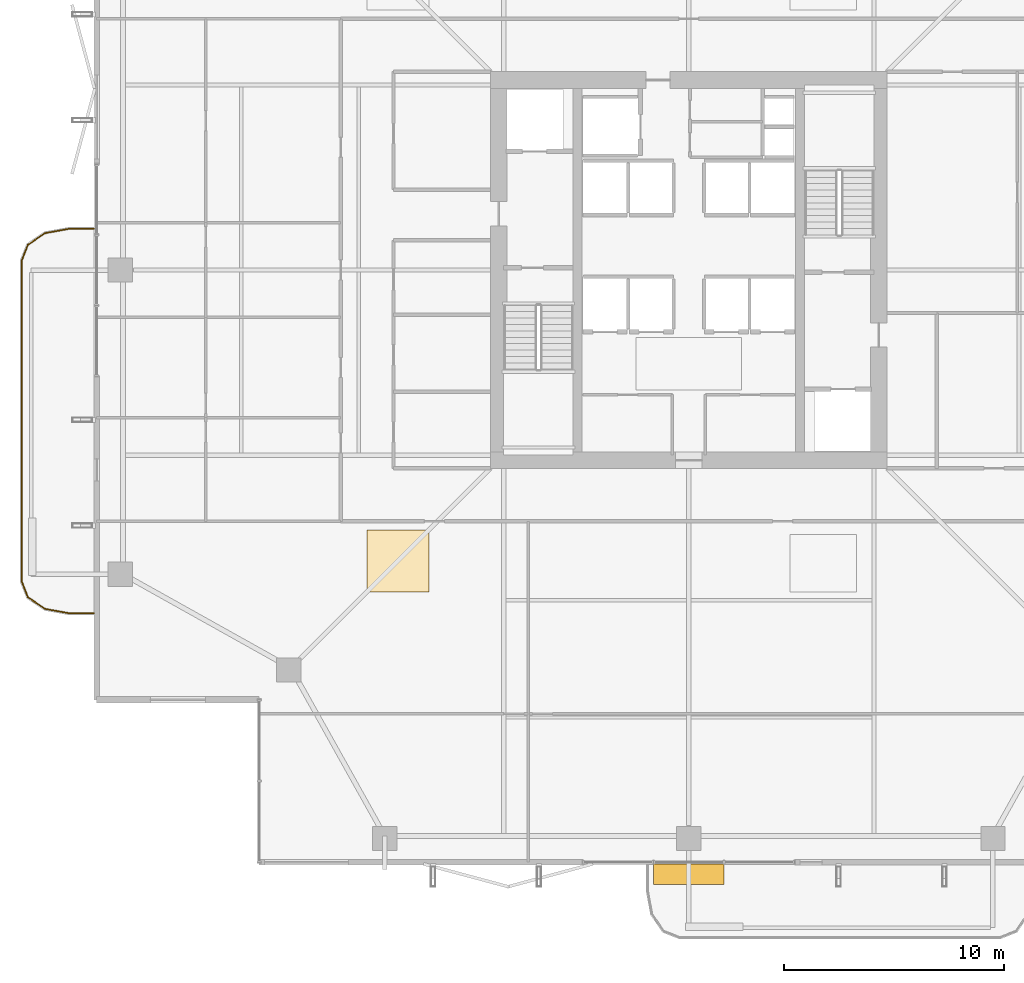
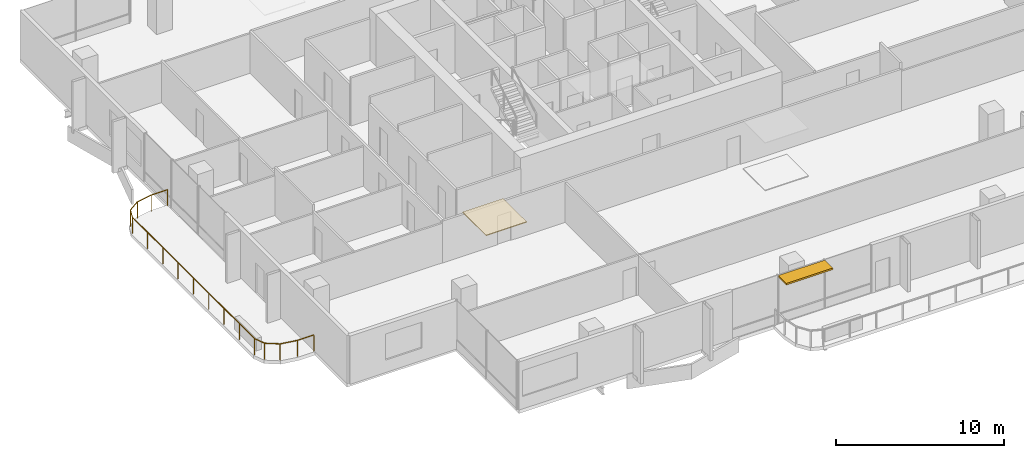
# One storey, part 26 of 29: 1 covering, 1 railing, 1 shading device.
"""IFC4 building model written with IfcOpenShell, lengths in metres."""

import ifcopenshell
import ifcopenshell.guid

model = None  # the IFC model being written
_history = None  # IfcOwnerHistory: only IFC2X3 demands one
_inside = {}  # id of a spatial element -> (the spatial element, [elements in it])
_under = {}  # id of a project, library or spatial element -> (it, [spatial elements below it])
_declared = {}  # id of a project -> (the project, [libraries it declares])
_typed = {}  # id of a type object -> (the type object, [elements of that type])
_made_of = {}  # id of a material, layer set ... -> (it, [elements and type objects made of it])


def new_model(schema):
    """Start an empty IFC model of exactly this schema.

    Asked for "IFC4X3", IfcOpenShell would pick the latest addendum, in which some entities
    have other attributes; the version numbers below select the first issue.
    IFC2X3 requires an IfcOwnerHistory on every rooted entity: one is made here for all.
    """
    global model, _history
    if schema == "IFC4X3":
        model = ifcopenshell.file(schema_version=(4, 3, 0, 0))
    else:
        model = ifcopenshell.file(schema=schema)
    _inside.clear()
    _under.clear()
    _declared.clear()
    _typed.clear()
    _made_of.clear()
    _history = None
    if model.schema == "IFC2X3":
        org = make("IfcOrganization", Name="unknown")
        user = make(
            "IfcPersonAndOrganization",
            ThePerson=make("IfcPerson", FamilyName="unknown"),
            TheOrganization=org,
        )
        app = make(
            "IfcApplication",
            ApplicationDeveloper=org,
            Version="unknown",
            ApplicationFullName="unknown",
            ApplicationIdentifier="unknown",
        )
        _history = make(
            "IfcOwnerHistory",
            OwningUser=user,
            OwningApplication=app,
            ChangeAction="ADDED",
            CreationDate=0,
        )
    return model


def make(cls, **values):
    """One entity of the class cls with the attributes given. An attribute that is None is left unset."""
    return model.create_entity(
        cls, **{name: value for name, value in values.items() if value is not None}
    )


def rooted(cls, **values):
    """An entity with a GlobalId (a new one), such as an element, a storey or a relation."""
    return make(cls, GlobalId=ifcopenshell.guid.new(), OwnerHistory=_history, **values)


def si_unit(unit_type, name, prefix=None):
    """IfcSIUnit, for example si_unit("LENGTHUNIT", "METRE", prefix="MILLI")."""
    return make("IfcSIUnit", UnitType=unit_type, Prefix=prefix, Name=name)


def assignment(units):
    """IfcUnitAssignment: the units of a project."""
    return None if units is None else make("IfcUnitAssignment", Units=units)


def point(xyz):
    """IfcCartesianPoint."""
    return None if xyz is None else make("IfcCartesianPoint", Coordinates=xyz)


def direction(xyz):
    """IfcDirection."""
    return None if xyz is None else make("IfcDirection", DirectionRatios=xyz)


def frame(location, z_axis=None, x_axis=None):
    """IfcAxis2Placement3D, a coordinate frame: its origin and axes. An axis left out is left unset."""
    return make(
        "IfcAxis2Placement3D",
        Location=point(location),
        Axis=direction(z_axis),
        RefDirection=direction(x_axis),
    )


def frame_2d(location, x_axis=None):
    """IfcAxis2Placement2D, a coordinate frame in the plane: its origin and x axis."""
    return make(
        "IfcAxis2Placement2D", Location=point(location), RefDirection=direction(x_axis)
    )


def origin():
    """The frame at (0, 0, 0) with its axes left unset."""
    return frame((0.0, 0.0, 0.0))


def origin_2d():
    """The frame at (0, 0) in the plane with its x axis left unset."""
    return frame_2d((0.0, 0.0))


def place(relative_to, where):
    """IfcLocalPlacement: puts the frame where relative to a parent placement (None: the world)."""
    return make(
        "IfcLocalPlacement", PlacementRelTo=relative_to, RelativePlacement=where
    )


def context(
    kind, dimensions, precision=None, world=None, true_north=None, identifier=None
):
    """IfcGeometricRepresentationContext, for example the 3D "Model" context."""
    return make(
        "IfcGeometricRepresentationContext",
        ContextIdentifier=identifier,
        ContextType=kind,
        CoordinateSpaceDimension=dimensions,
        Precision=precision,
        WorldCoordinateSystem=world,
        TrueNorth=true_north,
    )


def subcontext(parent, identifier, kind, view, scale=None):
    """IfcGeometricRepresentationSubContext, for example "Body" below "Model"."""
    return make(
        "IfcGeometricRepresentationSubContext",
        ContextIdentifier=identifier,
        ContextType=kind,
        ParentContext=parent,
        TargetScale=scale,
        TargetView=view,
    )


def project(units=None, contexts=None):
    """IfcProject with its units and contexts."""
    return rooted(
        "IfcProject",
        Name="project",
        RepresentationContexts=contexts,
        UnitsInContext=assignment(units),
    )


def spatial(cls, under=None, at=None, **own):
    """A site, building, storey or space (cls), placed at a placement, below another one or the project."""
    s = rooted(cls, ObjectPlacement=at, **own)
    if under is not None:
        _under.setdefault(under.id(), (under, []))[1].append(s)
    return s


def polyline(points):
    """IfcPolyline through the points."""
    return make("IfcPolyline", Points=[point(p) for p in points])


def profile(cls, at=None, kind="AREA", **sizes):
    """A parametric profile (cls). Its sizes go by their IFC names, for example OverallWidth=200.0."""
    return make(cls, ProfileType=kind, Position=at, **sizes)


def rectangle(**sizes):
    """IfcRectangleProfileDef."""
    return profile("IfcRectangleProfileDef", **sizes)


def outline(outer, holes=None, kind="AREA"):
    """IfcArbitraryClosedProfileDef: a profile drawn as a closed curve; with holes, ...WithVoids."""
    if holes is None:
        return make("IfcArbitraryClosedProfileDef", ProfileType=kind, OuterCurve=outer)
    return make(
        "IfcArbitraryProfileDefWithVoids",
        ProfileType=kind,
        OuterCurve=outer,
        InnerCurves=holes,
    )


def extrude(swept, where, along, depth):
    """IfcExtrudedAreaSolid: the profile swept, set in the frame where, extruded along a direction by depth."""
    return make(
        "IfcExtrudedAreaSolid",
        SweptArea=swept,
        Position=where,
        ExtrudedDirection=direction(along),
        Depth=depth,
    )


def shape(context_of_items, identifier, shape_type, items):
    """IfcShapeRepresentation: the items that make up one representation, for example the "Body"."""
    return make(
        "IfcShapeRepresentation",
        ContextOfItems=context_of_items,
        RepresentationIdentifier=identifier,
        RepresentationType=shape_type,
        Items=items,
    )


def material(Name=None, Category=None):
    """IfcMaterial."""
    return make("IfcMaterial", Name=Name, Category=Category)


def layer(
    of_material, thickness, ventilated=None, Name=None, Category=None, Priority=None
):
    """IfcMaterialLayer: one layer of a wall or slab, of a material (None: an air gap)."""
    return make(
        "IfcMaterialLayer",
        Material=of_material,
        LayerThickness=thickness,
        IsVentilated=ventilated,
        Name=Name,
        Category=Category,
        Priority=Priority,
    )


def layer_set(layers, Name=None):
    """IfcMaterialLayerSet."""
    return make("IfcMaterialLayerSet", MaterialLayers=layers, LayerSetName=Name)


def made_of(thing, what):
    """Note that an element or type object is made of a material, layer set ...; save() writes the relation."""
    if what is not None:
        _made_of.setdefault(what.id(), (what, []))[1].append(thing)
    return thing


def type_object(cls, material=None, **own):
    """A type object (cls), such as IfcWallType, which elements share."""
    return made_of(rooted(cls, **own), material)


def element(
    cls,
    number,
    at=None,
    inside=None,
    cuts=None,
    type_object=None,
    material=None,
    context=None,
    identifier="Body",
    shape_type=None,
    held_by="IfcProductDefinitionShape",
    body=None,
    shapes=None,
    **own,
):
    """One element of the class cls, such as IfcWall. Its Tag is "e" and its number.

    at: its placement. inside: the storey or other place that contains it. cuts: it is an
    opening in that element (IfcRelVoidsElement). A single representation is given by context,
    identifier, shape_type and body (its items); several are given by shapes. held_by: the class
    of the entity that holds the representations. save() writes the other relations.
    """
    e = rooted(cls, Tag="e%d" % number, ObjectPlacement=at, **own)
    if body is not None:
        shapes = [shape(context, identifier, shape_type, body)]
    if shapes is not None:
        e.Representation = make(held_by, Representations=shapes)
    if inside is not None:
        _inside.setdefault(inside.id(), (inside, []))[1].append(e)
    if cuts is not None:
        rooted(
            "IfcRelVoidsElement", RelatingBuildingElement=cuts, RelatedOpeningElement=e
        )
    if type_object is not None:
        _typed.setdefault(type_object.id(), (type_object, []))[1].append(e)
    return made_of(e, material)


def aggregate(whole, parts):
    """IfcRelAggregates: a whole, such as a stair, and the parts it consists of."""
    return rooted("IfcRelAggregates", RelatingObject=whole, RelatedObjects=parts)


def save(model, path):
    """Write the relations noted so far, then the file.

    IfcRelAggregates (storeys below a building ...), IfcRelContainedInSpatialStructure (elements
    in a storey), IfcRelDefinesByType, IfcRelAssociatesMaterial and IfcRelDeclares: one each for
    every whole, place, type object, material and project.
    """
    for whole, parts in _under.values():
        aggregate(whole, parts)
    for where, things in _inside.values():
        rooted(
            "IfcRelContainedInSpatialStructure",
            RelatedElements=things,
            RelatingStructure=where,
        )
    for kind, things in _typed.values():
        rooted("IfcRelDefinesByType", RelatedObjects=things, RelatingType=kind)
    for what, things in _made_of.values():
        rooted("IfcRelAssociatesMaterial", RelatedObjects=things, RelatingMaterial=what)
    for by, libraries in _declared.values():
        rooted("IfcRelDeclares", RelatingContext=by, RelatedDefinitions=libraries)
    model.write(path)


model = new_model("IFC4")

# Units and contexts
model_context = context("Model", 3, precision=1e-05, world=origin(), true_north=direction((0.0, 1.0)))
body_context = subcontext(model_context, "Body", "Model", "MODEL_VIEW")
ifc_project = project(units=[si_unit("LENGTHUNIT", "METRE"), si_unit("AREAUNIT", "SQUARE_METRE"), si_unit("VOLUMEUNIT", "CUBIC_METRE"), si_unit("PLANEANGLEUNIT", "RADIAN"), si_unit("MASSUNIT", "GRAM", prefix="KILO")], contexts=[model_context])

# Site, building, storey
site_placement = place(None, origin())
site = spatial("IfcSite", under=ifc_project, at=site_placement, CompositionType="ELEMENT")
building_placement = place(site_placement, origin())
building = spatial("IfcBuilding", under=site, at=building_placement, Name="Belovzor Exchange Tower", CompositionType="ELEMENT")
storey_placement = place(building_placement, frame((0.0, 0.0, 199.949951171875)))
storey = spatial("IfcBuildingStorey", under=building, at=storey_placement, Name="L49", CompositionType="ELEMENT", Elevation=199.949951171875)

# Railing
ifc_material_1 = material(Name="Stainless Steel and Laminated Safety Glass", Category="steel")
railing_type = type_object("IfcRailingType", Name="Laminated Glass & Stainless Steel Balcony Balustrade 1200", PredefinedType="BALUSTRADE", material=ifc_material_1)
railing_placement = place(storey_placement, frame((1.7900390625, 30.669921875, 0.0)))
element("IfcRailing", 1, at=railing_placement, inside=storey, type_object=railing_type, Name="GR-1 Balcony Balustrade L49 West", PredefinedType="BALUSTRADE", context=body_context, shape_type="SweptSolid", body=[
    extrude(rectangle(XDim=0.048095703125, YDim=0.048095703125, at=origin_2d()), frame((0.0, 0.0, 1.17578125), z_axis=(-1.0, 0.0, 0.0), x_axis=(0.0, -1.0, 0.0)), (0.0, 0.0, 1.0), 1.133056640625),
    extrude(rectangle(XDim=0.048095703125, YDim=0.048095703125, at=origin_2d()), frame((-1.133056640625, 0.0, 1.17578125), z_axis=(-0.983644145941, -0.180122719713, 0.0), x_axis=(0.180122719713, -0.983644145941, 0.0)), (0.0, 0.0, 1.0), 1.09375),
    extrude(rectangle(XDim=0.048095703125, YDim=0.048095703125, at=origin_2d()), frame((-2.208984375, -0.197021484375, 1.17578125), z_axis=(-0.826614792125, -0.562768145367, 0.0), x_axis=(0.562768145367, -0.826614792125, 0.0)), (0.0, 0.0, 1.0), 0.9326171875),
    extrude(rectangle(XDim=0.048095703125, YDim=0.048095703125, at=origin_2d()), frame((-2.97998046875, -0.721923828125, 1.17578125), z_axis=(-0.365612923861, -0.930766990125, 0.0), x_axis=(0.930766990125, -0.365612923861, 0.0)), (0.0, 0.0, 1.0), 0.765869140625),
    extrude(rectangle(XDim=0.048095703125, YDim=0.048095703125, at=origin_2d()), frame((-3.260009765625, -1.434814453125, 1.17578125), z_axis=(0.0, -1.0, 0.0), x_axis=(1.0, 0.0, 0.0)), (0.0, 0.0, 1.0), 14.570068359375),
    extrude(rectangle(XDim=0.048095703125, YDim=0.048095703125, at=origin_2d()), frame((-3.260009765625, -16.0048828125, 1.17578125), z_axis=(0.365504480807, -0.930809580156, 0.0), x_axis=(0.930809580156, 0.365504480807, 0.0)), (0.0, 0.0, 1.0), 0.76611328125),
    extrude(rectangle(XDim=0.048095703125, YDim=0.048095703125, at=origin_2d()), frame((-2.97998046875, -16.718017578125, 1.17578125), z_axis=(0.826614792125, -0.562768145367, 0.0), x_axis=(0.562768145367, 0.826614792125, 0.0)), (0.0, 0.0, 1.0), 0.9326171875),
    extrude(rectangle(XDim=0.048095703125, YDim=0.048095703125, at=origin_2d()), frame((-2.208984375, -17.242919921875, 1.17578125), z_axis=(0.983644145941, -0.180122719713, 0.0), x_axis=(0.180122719713, 0.983644145941, 0.0)), (0.0, 0.0, 1.0), 1.09375),
    extrude(rectangle(XDim=0.048095703125, YDim=0.048095703125, at=origin_2d()), frame((-1.133056640625, -17.43994140625, 1.17578125), z_axis=(1.0, 0.0, 0.0), x_axis=(0.0, 1.0, 0.0)), (0.0, 0.0, 1.0), 1.133056640625),
    extrude(rectangle(XDim=0.0419921875, YDim=0.0419921875, at=origin_2d()), origin(), (0.0, 0.0, 1.0), 1.15185546875),
    extrude(rectangle(XDim=0.0419921875, YDim=0.0419921875, at=origin_2d()), frame((-1.133056640625, 0.0, 0.0)), (0.0, 0.0, 1.0), 1.15185546875),
    extrude(rectangle(XDim=0.0419921875, YDim=0.0419921875, at=origin_2d()), frame((-2.208984375, -0.197021484375, 0.0)), (0.0, 0.0, 1.0), 1.15185546875),
    extrude(rectangle(XDim=0.0419921875, YDim=0.0419921875, at=origin_2d()), frame((-2.97998046875, -0.721923828125, 0.0)), (0.0, 0.0, 1.0), 1.15185546875),
    extrude(rectangle(XDim=0.0419921875, YDim=0.0419921875, at=origin_2d()), frame((-3.260009765625, -1.434814453125, 0.0)), (0.0, 0.0, 1.0), 1.15185546875),
    extrude(rectangle(XDim=0.0419921875, YDim=0.0419921875, at=origin_2d()), frame((-3.260009765625, -3.256103515625, 0.0)), (0.0, 0.0, 1.0), 1.15185546875),
    extrude(rectangle(XDim=0.0419921875, YDim=0.0419921875, at=origin_2d()), frame((-3.260009765625, -5.077392578125, 0.0)), (0.0, 0.0, 1.0), 1.15185546875),
    extrude(rectangle(XDim=0.0419921875, YDim=0.0419921875, at=origin_2d()), frame((-3.260009765625, -6.898681640625, 0.0)), (0.0, 0.0, 1.0), 1.15185546875),
    extrude(rectangle(XDim=0.0419921875, YDim=0.0419921875, at=origin_2d()), frame((-3.260009765625, -8.7197265625, 0.0)), (0.0, 0.0, 1.0), 1.15185546875),
    extrude(rectangle(XDim=0.0419921875, YDim=0.0419921875, at=origin_2d()), frame((-3.260009765625, -10.541015625, 0.0)), (0.0, 0.0, 1.0), 1.15185546875),
    extrude(rectangle(XDim=0.0419921875, YDim=0.0419921875, at=origin_2d()), frame((-3.260009765625, -12.3623046875, 0.0)), (0.0, 0.0, 1.0), 1.15185546875),
    extrude(rectangle(XDim=0.0419921875, YDim=0.0419921875, at=origin_2d()), frame((-3.260009765625, -14.18359375, 0.0)), (0.0, 0.0, 1.0), 1.15185546875),
    extrude(rectangle(XDim=0.0419921875, YDim=0.0419921875, at=origin_2d()), frame((-3.260009765625, -16.0048828125, 0.0)), (0.0, 0.0, 1.0), 1.15185546875),
    extrude(rectangle(XDim=0.0419921875, YDim=0.0419921875, at=origin_2d()), frame((-2.97998046875, -16.718017578125, 0.0)), (0.0, 0.0, 1.0), 1.15185546875),
    extrude(rectangle(XDim=0.0419921875, YDim=0.0419921875, at=origin_2d()), frame((-2.208984375, -17.242919921875, 0.0)), (0.0, 0.0, 1.0), 1.15185546875),
    extrude(rectangle(XDim=0.0419921875, YDim=0.0419921875, at=origin_2d()), frame((-1.133056640625, -17.43994140625, 0.0)), (0.0, 0.0, 1.0), 1.15185546875),
    extrude(rectangle(XDim=0.0419921875, YDim=0.0419921875, at=origin_2d()), frame((0.0, -17.43994140625, 0.0)), (0.0, 0.0, 1.0), 1.15185546875),
])

# Covering
ifc_material_2 = material(Name="Perforated Powder-Coated Aluminium", Category="aluminium")
ifc_layer_1 = layer(ifc_material_2, 0.06005859375)
ifc_layer_set_1 = layer_set([ifc_layer_1], Name="Perforated Powder-Coated Aluminium")
covering_type = type_object("IfcCoveringType", Name="Perforated Acoustic Metal Tile Suspended Ceiling 60", PredefinedType="CEILING", material=ifc_layer_set_1)
covering_placement = place(storey_placement, frame((0.0, 0.0, 3.43994140625)))
element("IfcCovering", 2, at=covering_placement, inside=storey, type_object=covering_type, Name="CLG-AC60 Suspended Ceiling CLG-L49-Z0", PredefinedType="CEILING", context=body_context, shape_type="SweptSolid", body=[
    extrude(outline(polyline([(14.199951171875, 14.199951171875), (17.0, 14.199951171875), (17.0, 17.0), (14.199951171875, 17.0), (14.199951171875, 14.199951171875)])), origin(), (0.0, 0.0, 1.0), 0.06005859375),
])

# Shading device
ifc_material_3 = material(Name="Extruded Architectural Terracotta", Category="masonry")
ifc_layer_2 = layer(ifc_material_3, 0.1201171875)
ifc_layer_set_2 = layer_set([ifc_layer_2], Name="Extruded Architectural Terracotta")
shading_device_type = type_object("IfcShadingDeviceType", Name="Streamline Terracotta Horizontal Sunshade Hood 950", PredefinedType="AWNING", material=ifc_layer_set_2)
shading_device_placement = place(storey_placement, frame((28.800048828125, 1.385009765625, 3.3798828125), z_axis=(0.0, 0.0, 1.0), x_axis=(1.0, 0.0, 0.0)))
element("IfcShadingDevice", 3, at=shading_device_placement, inside=storey, type_object=shading_device_type, Name="SHD-TC095 Terracotta Sunshade L49 S", PredefinedType="AWNING", context=body_context, shape_type="SweptSolid", body=[
    extrude(rectangle(XDim=3.199951171875, YDim=0.949951171875, at=origin_2d()), origin(), (0.0, 0.0, 1.0), 0.1201171875),
])

save(model, "model.ifc")
